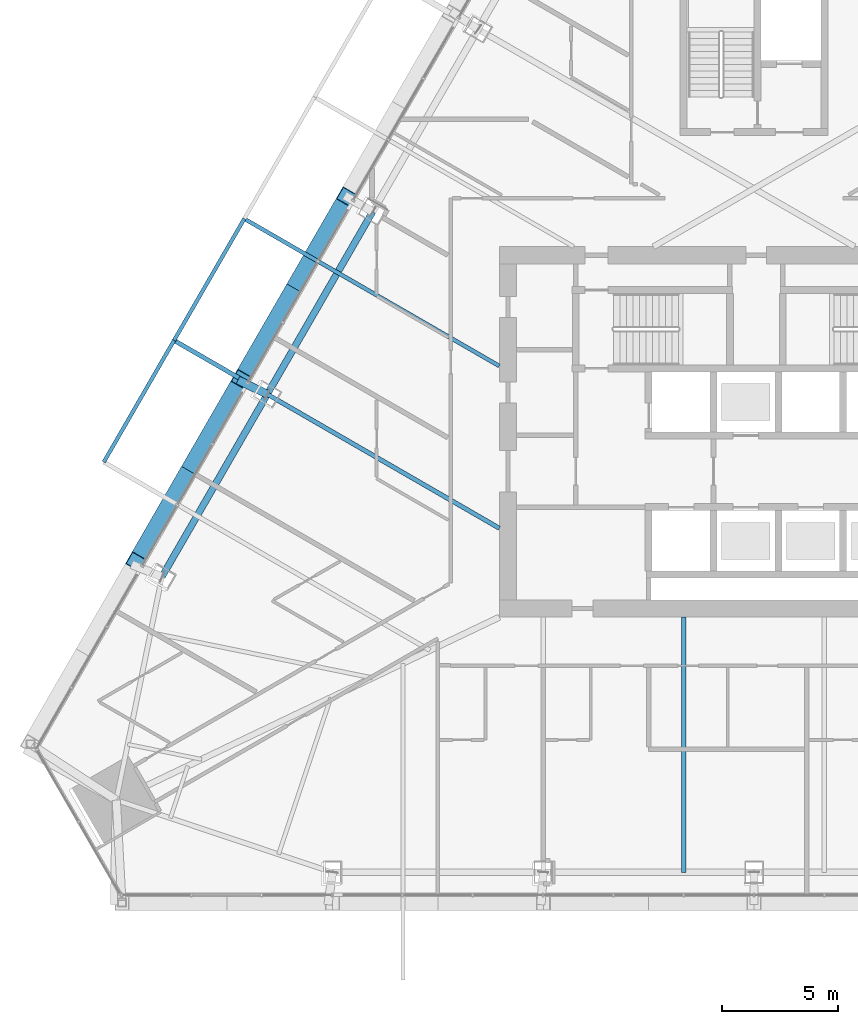
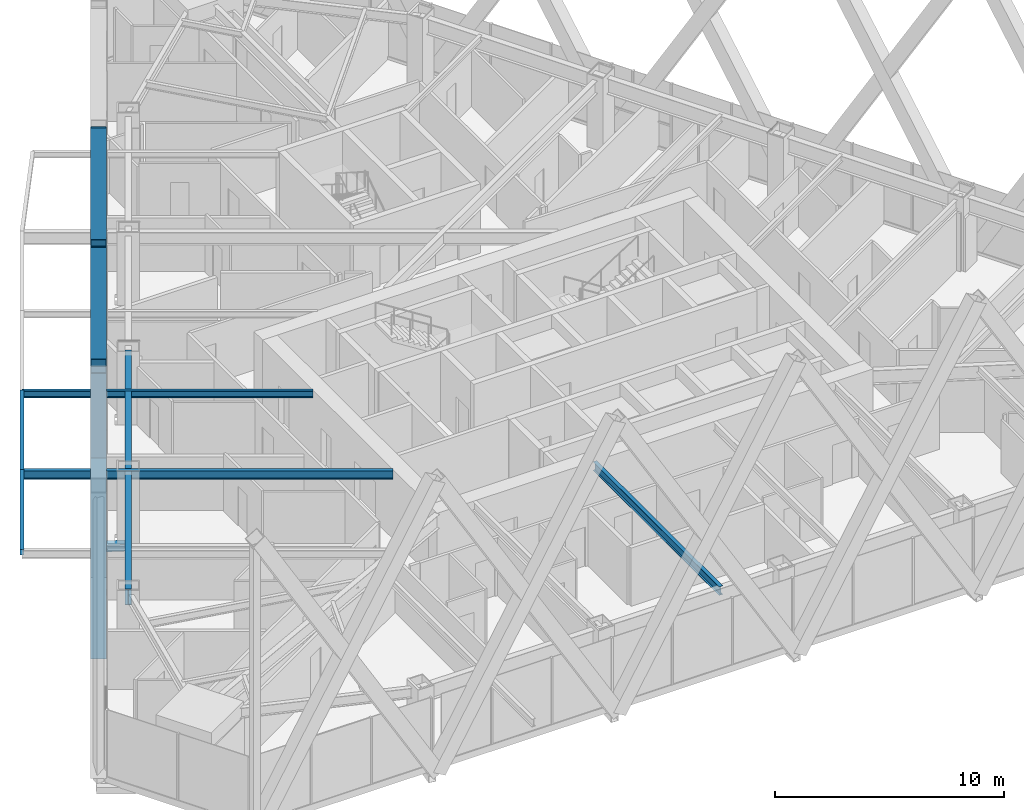
# One storey, part 5 of 26: 6 beams, 5 members.
"""IFC4 building model written with IfcOpenShell, lengths in metres."""

from ifc_helpers import new_model, si_unit, direction, frame, origin, origin_2d, place, context, subcontext, project, spatial, hollow_rectangle, i_section, extrude, material, material_profile, profile_set, type_object, element, save


model = new_model("IFC4")

# Units and contexts
model_context = context("Model", 3, precision=1e-05, world=origin(), true_north=direction((0.0, 1.0)))
body_context = subcontext(model_context, "Body", "Model", "MODEL_VIEW")
ifc_project = project(units=[si_unit("LENGTHUNIT", "METRE"), si_unit("AREAUNIT", "SQUARE_METRE"), si_unit("VOLUMEUNIT", "CUBIC_METRE"), si_unit("PLANEANGLEUNIT", "RADIAN"), si_unit("MASSUNIT", "GRAM", prefix="KILO")], contexts=[model_context])

# Site, building, storey
site_placement = place(None, origin())
site = spatial("IfcSite", under=ifc_project, at=site_placement, CompositionType="ELEMENT")
building_placement = place(site_placement, origin())
building = spatial("IfcBuilding", under=site, at=building_placement, Name="Firuza Gate Tower and Library", CompositionType="ELEMENT")
storey_placement = place(building_placement, frame((0.0, 0.0, 155.800048828125)))
storey = spatial("IfcBuildingStorey", under=building, at=storey_placement, Name="L35", CompositionType="ELEMENT", Elevation=155.800048828125)

# Members
ifc_material_1 = material(Name="Steel S355", Category="steel")
ifc_material_profile_1 = material_profile(ifc_material_1, hollow_rectangle(XDim=0.699951171875, YDim=0.699951171875, WallThickness=0.030029296875, at=origin_2d()))
ifc_profile_set_1 = profile_set([ifc_material_profile_1], Name="Steel S355")
member_type_1 = type_object("IfcMemberType", Name="BU700x700x30 Lattice brace", PredefinedType="BRACE", material=ifc_profile_set_1)
for number, where, z_axis, x_axis, name in (
    (1, (57.403564453125, 85.1591796875, 0.0), (-0.251941124385, -0.436358188228, 0.863780760037), (0.866017147671, -0.500014299735, 0.0), "Lattice brace W 8.4R"),
    (2, (52.853515625, 77.278564453125, 0.0), (0.251941124385, 0.436358188228, 0.863780760037), (-0.866017147671, 0.500014299735, 0.0), "Lattice brace W 8.4L"),
    (3, (52.853515625, 77.278564453125, 0.0), (-0.251926977952, -0.436370618604, 0.863778606472), (0.866035472144, -0.499982560684, 0.0), "Lattice brace W 8.5R"),
    (4, (48.3037109375, 69.397705078125, 0.0), (0.251926977952, 0.436370618604, 0.863778606472), (-0.866035472144, 0.499982560684, 0.0), "Lattice brace W 8.5L"),
):
    element("IfcMember", number, at=place(storey_placement, frame(where, z_axis=z_axis, x_axis=x_axis)), inside=storey, type_object=member_type_1, Name=name, PredefinedType="BRACE", context=body_context, shape_type="SweptSolid", body=[
        extrude(hollow_rectangle(XDim=0.699951171875, YDim=0.699951171875, WallThickness=0.030029296875, at=origin_2d()), origin(), (0.0, 0.0, 1.0), 18.06005859375),
    ])
ifc_material_2 = material(Name="Steel S355", Category="steel")
ifc_material_profile_2 = material_profile(ifc_material_2, hollow_rectangle(XDim=0.355712890625, YDim=0.355712890625, WallThickness=0.014892578125, at=origin_2d()))
ifc_profile_set_2 = profile_set([ifc_material_profile_2], Name="Steel S355")
member_type_2 = type_object("IfcMemberType", Name="HSS356x356x16 Lattice node tie", PredefinedType="BRACE", material=ifc_profile_set_2)
member_placement = place(storey_placement, frame((53.9794921875, 76.62841796875, -0.340087890625), z_axis=(-0.899617482339, 0.436678812711, 0.0), x_axis=(-0.436678812711, -0.899617482339, 0.0)))
element("IfcMember", 5, at=member_placement, inside=storey, type_object=member_type_2, Name="Lattice node tie W L35 169", PredefinedType="BRACE", context=body_context, shape_type="SweptSolid", body=[
    extrude(hollow_rectangle(XDim=0.355712890625, YDim=0.355712890625, WallThickness=0.014892578125, at=origin_2d()), origin(), (0.0, 0.0, 1.0), 1.40380859375),
])

# Beams
ifc_material_3 = material(Name="Steel S355", Category="steel")
ifc_material_profile_3 = material_profile(ifc_material_3, i_section(OverallWidth=0.1650390625, OverallDepth=0.31005859375, WebThickness=0.005859375, FlangeThickness=0.009765625, at=origin_2d()))
ifc_profile_set_3 = profile_set([ifc_material_profile_3], Name="Steel S355")
beam_type_1 = type_object("IfcBeamType", Name="W310x39 Floor beam", PredefinedType="JOIST", material=ifc_profile_set_3)
for number, where, z_axis, x_axis, name in (
    (6, (52.98583984375, 84.207275390625, 3.544921875), (-0.500012742938, -0.866018046521, 0.0), (0.866018046521, -0.500012742938, 0.0), "Tray edge beam L35 s83-s84"),
    (7, (49.952392578125, 78.953369140625, 3.544921875), (-0.499982560684, -0.866035472144, 0.0), (0.866035472144, -0.499982560684, 0.0), "Tray edge beam L35 s84-s85"),
):
    element("IfcBeam", number, at=place(storey_placement, frame(where, z_axis=z_axis, x_axis=x_axis)), inside=storey, type_object=beam_type_1, Name=name, PredefinedType="JOIST", context=body_context, shape_type="SweptSolid", body=[
        extrude(i_section(OverallWidth=0.1650390625, OverallDepth=0.31005859375, WebThickness=0.005859375, FlangeThickness=0.009765625, at=origin_2d()), origin(), (0.0, 0.0, 1.0), 6.066650390625),
    ])
ifc_material_4 = material(Name="Steel S355", Category="steel")
ifc_material_profile_4 = material_profile(ifc_material_4, i_section(OverallWidth=0.1708984375, OverallDepth=0.35498046875, WebThickness=0.007080078125, FlangeThickness=0.01171875, at=origin_2d()))
ifc_profile_set_4 = profile_set([ifc_material_profile_4], Name="Steel S355")
beam_type_2 = type_object("IfcBeamType", Name="W360x51 Floor beam", PredefinedType="JOIST", material=ifc_profile_set_4)
beam_1_placement = place(storey_placement, frame((52.98583984375, 84.207275390625, 3.5224609375), z_axis=(0.866021912989, -0.500006046186, 0.0), x_axis=(0.500006046186, 0.866021912989, 0.0)))
element("IfcBeam", 8, at=beam_1_placement, inside=storey, type_object=beam_type_2, Name="Floor beam L35 s83", PredefinedType="JOIST", context=body_context, shape_type="SweptSolid", body=[
    extrude(i_section(OverallWidth=0.1708984375, OverallDepth=0.35498046875, WebThickness=0.007080078125, FlangeThickness=0.01171875, at=origin_2d()), origin(), (0.0, 0.0, 1.0), 12.718017578125),
])
ifc_material_5 = material(Name="Steel S355", Category="steel")
ifc_material_profile_5 = material_profile(ifc_material_5, i_section(OverallWidth=0.18994140625, OverallDepth=0.45703125, WebThickness=0.009033203125, FlangeThickness=0.014404296875, at=origin_2d()))
ifc_profile_set_5 = profile_set([ifc_material_profile_5], Name="Steel S355")
beam_type_3 = type_object("IfcBeamType", Name="W460x74 Floor beam", PredefinedType="JOIST", material=ifc_profile_set_5)
beam_2_placement = place(storey_placement, frame((71.966552734375, 55.9814453125, 3.471435546875), z_axis=(0.0, 1.0, 0.0), x_axis=(-1.0, 0.0, 0.0)))
element("IfcBeam", 9, at=beam_2_placement, inside=storey, type_object=beam_type_3, Name="Floor beam L35 s22", PredefinedType="JOIST", context=body_context, shape_type="SweptSolid", body=[
    extrude(i_section(OverallWidth=0.18994140625, OverallDepth=0.45703125, WebThickness=0.009033203125, FlangeThickness=0.014404296875, at=origin_2d()), origin(), (0.0, 0.0, 1.0), 11.0185546875),
])
beam_3_placement = place(storey_placement, frame((49.952392578125, 78.953369140625, 3.471435546875), z_axis=(0.866026427908, -0.499998226162, 0.0), x_axis=(0.499998226162, 0.866026427908, 0.0)))
element("IfcBeam", 10, at=beam_3_placement, inside=storey, type_object=beam_type_3, Name="Floor beam L35 s84", PredefinedType="JOIST", context=body_context, shape_type="SweptSolid", body=[
    extrude(i_section(OverallWidth=0.18994140625, OverallDepth=0.45703125, WebThickness=0.009033203125, FlangeThickness=0.014404296875, at=origin_2d()), origin(), (0.0, 0.0, 1.0), 16.220703125),
])
ifc_material_6 = material(Name="Steel S355", Category="steel")
ifc_material_profile_6 = material_profile(ifc_material_6, i_section(OverallWidth=0.2919921875, OverallDepth=0.8349609375, WebThickness=0.013916015625, FlangeThickness=0.018798828125, at=origin_2d()))
ifc_profile_set_6 = profile_set([ifc_material_profile_6], Name="Steel S355")
beam_type_4 = type_object("IfcBeamType", Name="W840x176 Edge beam", PredefinedType="SPANDREL", material=ifc_profile_set_6)
beam_4_placement = place(storey_placement, frame((58.529541015625, 84.50927734375, 3.282470703125), z_axis=(-0.500002682389, -0.866023855101, 0.0), x_axis=(0.866023855101, -0.500002682389, 0.0)))
element("IfcBeam", 11, at=beam_4_placement, inside=storey, type_object=beam_type_4, Name="Edge beam L35 e82", PredefinedType="SPANDREL", context=body_context, shape_type="SweptSolid", body=[
    extrude(i_section(OverallWidth=0.2919921875, OverallDepth=0.8349609375, WebThickness=0.013916015625, FlangeThickness=0.018798828125, at=origin_2d()), origin(), (0.0, 0.0, 1.0), 18.2001953125),
])

save(model, "model.ifc")
